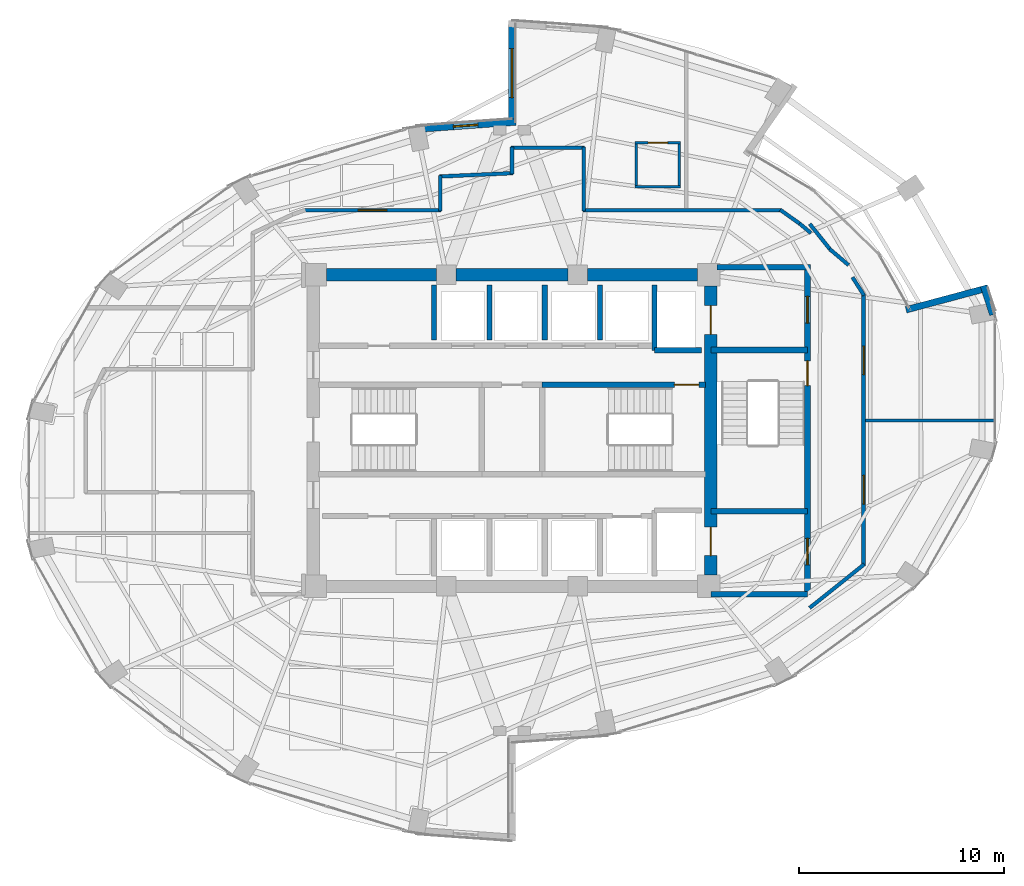
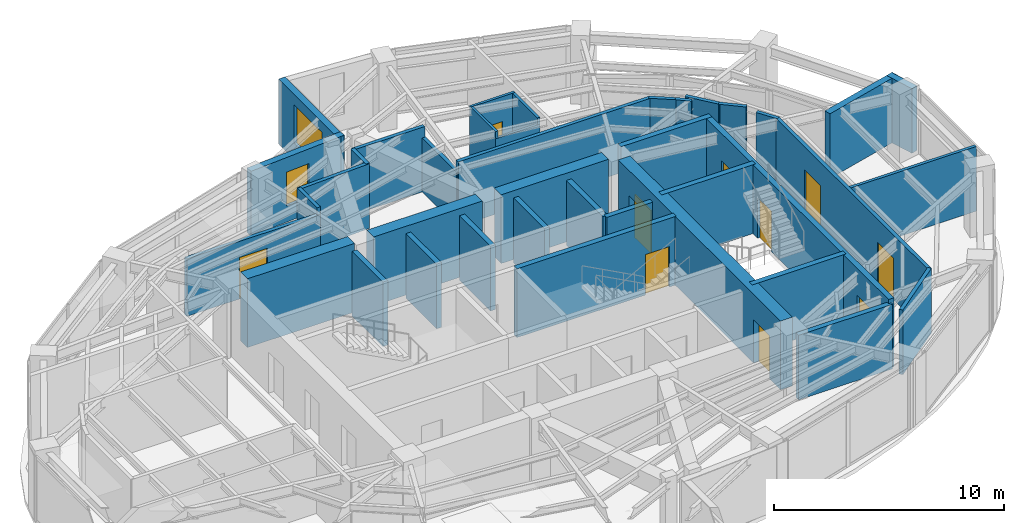
# One storey, part 16 of 19: 39 walls, 10 doors, 2 windows, 12 openings.
"""IFC4 building model written with IfcOpenShell, lengths in metres."""

from ifc_helpers import new_model, si_unit, direction, frame, frame_2d, origin, place, context, subcontext, project, spatial, rectangle, extrude, material, layer, layer_set, type_object, element, fill, save


model = new_model("IFC4")

# Units and contexts
model_context = context("Model", 3, precision=1e-05, world=origin(), true_north=direction((0.0, 1.0)))
body_context = subcontext(model_context, "Body", "Model", "MODEL_VIEW")
ifc_project = project(units=[si_unit("LENGTHUNIT", "METRE"), si_unit("AREAUNIT", "SQUARE_METRE"), si_unit("VOLUMEUNIT", "CUBIC_METRE"), si_unit("PLANEANGLEUNIT", "RADIAN"), si_unit("MASSUNIT", "GRAM", prefix="KILO")], contexts=[model_context])

# Site, building, storey
site_placement = place(None, origin())
site = spatial("IfcSite", under=ifc_project, at=site_placement, CompositionType="ELEMENT")
building_placement = place(site_placement, origin())
building = spatial("IfcBuilding", under=site, at=building_placement, Name="Lazwardi Medical Tower", CompositionType="ELEMENT")
storey_placement = place(building_placement, frame((0.0, 0.0, 171.1201171875)))
storey = spatial("IfcBuildingStorey", under=building, at=storey_placement, Name="L44", CompositionType="ELEMENT", Elevation=171.1201171875)

# Wall, opening, door
ifc_material_1 = material(Name="Fire-rated gypsum board on steel stud", Category="steel")
ifc_layer_1 = layer(ifc_material_1, 0.179931640625)
ifc_layer_set_1 = layer_set([ifc_layer_1], Name="Fire-rated gypsum board on steel stud")
wall_type_1 = type_object("IfcWallType", Name="WL-COR-180", PredefinedType="PARTITIONING", material=ifc_layer_set_1)
wall_1_placement = place(storey_placement, frame((25.842529296875, 38.75, 0.0), z_axis=(0.0, 0.0, 1.0), x_axis=(1.0, 0.0, 0.0)))
wall_1 = element("IfcWall", 1, at=wall_1_placement, inside=storey, type_object=wall_type_1, Name="L44 Corridor partition 6", PredefinedType="PARTITIONING", context=body_context, shape_type="SweptSolid", body=[
    extrude(rectangle(XDim=6.697509765625, YDim=0.179931640625, at=frame_2d((3.3486328125, 0.0))), origin(), (0.0, 0.0, 1.0), 3.052978515625),
])
opening_1_placement = place(wall_1_placement, frame((2.648681640625, 0.0, 0.0)))
opening_1 = element("IfcOpeningElement", 2, at=opening_1_placement, cuts=wall_1, Name="Opening D-L44-011", PredefinedType="OPENING", context=body_context, shape_type="SweptSolid", body=[
    extrude(rectangle(XDim=1.39990234375, YDim=2.199951171875, at=frame_2d((0.699951171875, 1.10009765625))), frame((0.0, 0.099853515625, 0.0), z_axis=(0.0, -1.0, 0.0), x_axis=(1.0, 0.0, 0.0)), (0.0, 0.0, 1.0), 0.199951171875),
])
ifc_material_2 = material(Name="Anti-microbial laminate hospital leaf")
door_type_1 = type_object("IfcDoorType", Name="DR-BED-1400", OperationType="NOTDEFINED", PredefinedType="DOOR", material=ifc_material_2)
door_1_placement = place(opening_1_placement, origin())
door_1 = element("IfcDoor", 3, at=door_1_placement, inside=storey, type_object=door_type_1, Name="L44 Inpatient Ward Door 03", OperationType="SINGLE_SWING_LEFT", OverallHeight=2.199951171875, OverallWidth=1.39990234375, PredefinedType="DOOR", context=body_context, shape_type="SweptSolid", body=[
    extrude(rectangle(XDim=1.39990234375, YDim=2.199951171875, at=frame_2d((0.699951171875, 1.10009765625))), frame((0.0, 0.02490234375, 0.0), z_axis=(0.0, -1.0, 0.0), x_axis=(1.0, 0.0, 0.0)), (0.0, 0.0, 1.0), 0.050048828125),
])
fill(opening_1, door_1)

# Walls
wall_2_placement = place(storey_placement, frame((32.5, 38.7099609375, 0.0), z_axis=(0.0, 0.0, 1.0), x_axis=(0.0, 1.0, 0.0)))
element("IfcWall", 4, at=wall_2_placement, inside=storey, type_object=wall_type_1, Name="L44 Corridor partition 7", PredefinedType="PARTITIONING", context=body_context, shape_type="SweptSolid", body=[
    extrude(rectangle(XDim=1.729248046875, YDim=0.179931640625, at=frame_2d((0.86474609375, 0.0))), origin(), (0.0, 0.0, 1.0), 3.427978515625),
])
wall_3_placement = place(storey_placement, frame((32.4599609375, 40.3974609375, 0.0), z_axis=(0.0, 0.0, 1.0), x_axis=(0.998948498694, 0.045846449783, 0.0)))
element("IfcWall", 5, at=wall_3_placement, inside=storey, type_object=wall_type_1, Name="L44 Corridor partition 8", PredefinedType="PARTITIONING", context=body_context, shape_type="SweptSolid", body=[
    extrude(rectangle(XDim=3.583740234375, YDim=0.179931640625, at=frame_2d((1.7919921875, 0.0))), origin(), (0.0, 0.0, 1.0), 3.427978515625),
])
wall_4_placement = place(storey_placement, frame((36.0, 40.52001953125, 0.0), z_axis=(0.0, 0.0, 1.0), x_axis=(0.0, 1.0, 0.0)))
element("IfcWall", 6, at=wall_4_placement, inside=storey, type_object=wall_type_1, Name="L44 Corridor partition 9", PredefinedType="PARTITIONING", context=body_context, shape_type="SweptSolid", body=[
    extrude(rectangle(XDim=1.320068359375, YDim=0.179931640625, at=frame_2d((0.66015625, 0.0))), origin(), (0.0, 0.0, 1.0), 3.427978515625),
])
wall_5_placement = place(storey_placement, frame((35.9599609375, 41.800048828125, 0.0), z_axis=(0.0, 0.0, 1.0), x_axis=(1.0, 0.0, 0.0)))
element("IfcWall", 7, at=wall_5_placement, inside=storey, type_object=wall_type_1, Name="L44 Corridor partition 10", PredefinedType="PARTITIONING", context=body_context, shape_type="SweptSolid", body=[
    extrude(rectangle(XDim=3.580078125, YDim=0.179931640625, at=frame_2d((1.7900390625, 0.0))), origin(), (0.0, 0.0, 1.0), 3.427978515625),
])
wall_6_placement = place(storey_placement, frame((39.5, 41.840087890625, 0.0), z_axis=(0.0, 0.0, 1.0), x_axis=(0.0, -1.0, 0.0)))
element("IfcWall", 8, at=wall_6_placement, inside=storey, type_object=wall_type_1, Name="L44 Corridor partition 11", PredefinedType="PARTITIONING", context=body_context, shape_type="SweptSolid", body=[
    extrude(rectangle(XDim=3.130126953125, YDim=0.179931640625, at=frame_2d((1.56494140625, 0.0))), origin(), (0.0, 0.0, 1.0), 2.86279296875),
])
wall_7_placement = place(storey_placement, frame((39.4599609375, 38.75, 0.0), z_axis=(0.0, 0.0, 1.0), x_axis=(1.0, 0.0, 0.0)))
element("IfcWall", 9, at=wall_7_placement, inside=storey, type_object=wall_type_1, Name="L44 Corridor partition 12", PredefinedType="PARTITIONING", context=body_context, shape_type="SweptSolid", body=[
    extrude(rectangle(XDim=9.696044921875, YDim=0.179931640625, at=frame_2d((4.84814453125, 0.0))), origin(), (0.0, 0.0, 1.0), 3.427978515625),
])
wall_8_placement = place(storey_placement, frame((49.08349609375, 38.773193359375, 0.0), z_axis=(0.0, 0.0, 1.0), x_axis=(0.815094383649, -0.579328184835, 0.0)))
element("IfcWall", 10, at=wall_8_placement, inside=storey, type_object=wall_type_1, Name="L44 Corridor partition 13", PredefinedType="PARTITIONING", context=body_context, shape_type="SweptSolid", body=[
    extrude(rectangle(XDim=1.234375, YDim=0.179931640625, at=frame_2d((0.6171875, 0.0))), origin(), (0.0, 0.0, 1.0), 3.427978515625),
])
wall_9_placement = place(storey_placement, frame((50.0263671875, 38.107177734375, 0.0), z_axis=(0.0, 0.0, 1.0), x_axis=(0.762519178552, -0.646965611405, 0.0)))
element("IfcWall", 11, at=wall_9_placement, inside=storey, type_object=wall_type_1, Name="L44 Corridor partition 14", PredefinedType="PARTITIONING", context=body_context, shape_type="SweptSolid", body=[
    extrude(rectangle(XDim=0.726806640625, YDim=0.179931640625, at=frame_2d((0.36328125, 0.0))), origin(), (0.0, 0.0, 1.0), 3.427978515625),
])
wall_10_placement = place(storey_placement, frame((50.52490234375, 38.084716796875, 0.0), z_axis=(0.0, 0.0, 1.0), x_axis=(0.624367263629, -0.781130923794, 0.0)))
element("IfcWall", 12, at=wall_10_placement, inside=storey, type_object=wall_type_1, Name="L44 Corridor partition 15", PredefinedType="PARTITIONING", context=body_context, shape_type="SweptSolid", body=[
    extrude(rectangle(XDim=1.63525390625, YDim=0.179931640625, at=frame_2d((0.817626953125, 0.0))), origin(), (0.0, 0.0, 1.0), 3.427978515625),
])
wall_11_placement = place(storey_placement, frame((51.490478515625, 36.864501953125, 0.0), z_axis=(0.0, 0.0, 1.0), x_axis=(0.762506147444, -0.646980969666, 0.0)))
element("IfcWall", 13, at=wall_11_placement, inside=storey, type_object=wall_type_1, Name="L44 Corridor partition 16", PredefinedType="PARTITIONING", context=body_context, shape_type="SweptSolid", body=[
    extrude(rectangle(XDim=1.221435546875, YDim=0.179931640625, at=frame_2d((0.61083984375, 0.0))), origin(), (0.0, 0.0, 1.0), 3.427978515625),
])
wall_12_placement = place(storey_placement, frame((52.609130859375, 35.484130859375, 0.0), z_axis=(0.0, 0.0, 1.0), x_axis=(0.536664379082, -0.843795795335, 0.0)))
element("IfcWall", 14, at=wall_12_placement, inside=storey, type_object=wall_type_1, Name="L44 Corridor partition 17", PredefinedType="PARTITIONING", context=body_context, shape_type="SweptSolid", body=[
    extrude(rectangle(XDim=1.047607421875, YDim=0.179931640625, at=frame_2d((0.52392578125, 0.0))), origin(), (0.0, 0.0, 1.0), 3.427978515625),
])

# Wall, openings, doors
wall_13_placement = place(storey_placement, frame((53.14990234375, 34.673828125, 0.0), z_axis=(0.0, 0.0, 1.0), x_axis=(0.0, -1.0, 0.0)))
wall_13 = element("IfcWall", 15, at=wall_13_placement, inside=storey, type_object=wall_type_1, Name="L44 Corridor partition 18", PredefinedType="PARTITIONING", context=body_context, shape_type="SweptSolid", body=[
    extrude(rectangle(XDim=13.258056640625, YDim=0.179931640625, at=frame_2d((6.62890625, 0.0))), origin(), (0.0, 0.0, 1.0), 3.427978515625),
])
opening_2_placement = place(wall_13_placement, frame((8.85693359375, 0.0, 0.0)))
opening_2 = element("IfcOpeningElement", 16, at=opening_2_placement, cuts=wall_13, Name="Opening D-L44-009", PredefinedType="OPENING", context=body_context, shape_type="SweptSolid", body=[
    extrude(rectangle(XDim=1.39990234375, YDim=2.199951171875, at=frame_2d((0.699951171875, 1.10009765625))), frame((0.0, 0.099853515625, 0.0), z_axis=(0.0, -1.0, 0.0), x_axis=(1.0, 0.0, 0.0)), (0.0, 0.0, 1.0), 0.199951171875),
])
opening_3_placement = place(wall_13_placement, frame((2.5458984375, 0.0, 0.0)))
opening_3 = element("IfcOpeningElement", 17, at=opening_3_placement, cuts=wall_13, Name="Opening D-L44-010", PredefinedType="OPENING", context=body_context, shape_type="SweptSolid", body=[
    extrude(rectangle(XDim=1.39990234375, YDim=2.199951171875, at=frame_2d((0.699951171875, 1.10009765625))), frame((0.0, 0.099853515625, 0.0), z_axis=(0.0, -1.0, 0.0), x_axis=(1.0, 0.0, 0.0)), (0.0, 0.0, 1.0), 0.199951171875),
])
door_2_placement = place(opening_2_placement, origin())
door_2 = element("IfcDoor", 18, at=door_2_placement, inside=storey, type_object=door_type_1, Name="L44 Sky Garden Lounge Door 01", OperationType="SINGLE_SWING_RIGHT", OverallHeight=2.199951171875, OverallWidth=1.39990234375, PredefinedType="DOOR", context=body_context, shape_type="SweptSolid", body=[
    extrude(rectangle(XDim=1.39990234375, YDim=2.199951171875, at=frame_2d((0.699951171875, 1.10009765625))), frame((0.0, 0.02490234375, 0.0), z_axis=(0.0, -1.0, 0.0), x_axis=(1.0, 0.0, 0.0)), (0.0, 0.0, 1.0), 0.050048828125),
])
fill(opening_2, door_2)
door_3_placement = place(opening_3_placement, origin())
door_3 = element("IfcDoor", 19, at=door_3_placement, inside=storey, type_object=door_type_1, Name="L44 Patient Day Lounge Door 02", OperationType="SINGLE_SWING_LEFT", OverallHeight=2.199951171875, OverallWidth=1.39990234375, PredefinedType="DOOR", context=body_context, shape_type="SweptSolid", body=[
    extrude(rectangle(XDim=1.39990234375, YDim=2.199951171875, at=frame_2d((0.699951171875, 1.10009765625))), frame((0.0, 0.02490234375, 0.0), z_axis=(0.0, -1.0, 0.0), x_axis=(1.0, 0.0, 0.0)), (0.0, 0.0, 1.0), 0.050048828125),
])
fill(opening_3, door_3)

# Wall
wall_14_placement = place(storey_placement, frame((53.181396484375, 21.480712890625, 0.0), z_axis=(0.0, 0.0, 1.0), x_axis=(-0.781420737726, -0.624004511724, 0.0)))
element("IfcWall", 20, at=wall_14_placement, inside=storey, type_object=wall_type_1, Name="L44 Corridor partition 19", PredefinedType="PARTITIONING", context=body_context, shape_type="SweptSolid", body=[
    extrude(rectangle(XDim=3.407470703125, YDim=0.179931640625, at=frame_2d((1.70361328125, 0.0))), origin(), (0.0, 0.0, 1.0), 3.427978515625),
])

# Wall, openings, doors
ifc_material_3 = material(Name="Concrete C60/75", Category="concrete")
ifc_layer_2 = layer(ifc_material_3, 0.60009765625)
ifc_layer_set_2 = layer_set([ifc_layer_2], Name="Concrete C60/75")
wall_type_2 = type_object("IfcWallType", Name="WL-CORE-600", PredefinedType="SHEAR", material=ifc_layer_set_2)
wall_15_placement = place(storey_placement, frame((45.699951171875, 20.949951171875, 0.0), z_axis=(0.0, 0.0, 1.0), x_axis=(0.0, 1.0, 0.0)))
wall_15 = element("IfcWall", 21, at=wall_15_placement, inside=storey, type_object=wall_type_2, Name="Core wall CW-S3 east L44", PredefinedType="SHEAR", context=body_context, shape_type="SweptSolid", body=[
    extrude(rectangle(XDim=14.10009765625, YDim=0.60009765625, at=frame_2d((7.050048828125, 0.0))), origin(), (0.0, 0.0, 1.0), 3.64794921875),
])
opening_4_placement = place(wall_15_placement, frame((11.75, 0.0, 0.0)))
opening_4 = element("IfcOpeningElement", 22, at=opening_4_placement, cuts=wall_15, Name="Opening LD-L44-001", PredefinedType="OPENING", context=body_context, shape_type="SweptSolid", body=[
    extrude(rectangle(XDim=1.39990234375, YDim=2.300048828125, at=frame_2d((0.699951171875, 1.14990234375))), frame((0.0, 0.31005859375, 0.0), z_axis=(0.0, -1.0, 0.0), x_axis=(1.0, 0.0, 0.0)), (0.0, 0.0, 1.0), 0.6201171875),
])
opening_5_placement = place(wall_15_placement, frame((0.949951171875, 0.0, 0.0)))
opening_5 = element("IfcOpeningElement", 23, at=opening_5_placement, cuts=wall_15, Name="Opening LD-L44-002", PredefinedType="OPENING", context=body_context, shape_type="SweptSolid", body=[
    extrude(rectangle(XDim=1.39990234375, YDim=2.300048828125, at=frame_2d((0.699951171875, 1.14990234375))), frame((0.0, 0.31005859375, 0.0), z_axis=(0.0, -1.0, 0.0), x_axis=(1.0, 0.0, 0.0)), (0.0, 0.0, 1.0), 0.6201171875),
])
ifc_material_4 = material(Name="Brushed stainless steel bed-lift landing door", Category="steel")
door_type_2 = type_object("IfcDoorType", Name="DR-LFT-1400", OperationType="NOTDEFINED", PredefinedType="DOOR", material=ifc_material_4)
door_4_placement = place(opening_4_placement, origin())
door_4 = element("IfcDoor", 24, at=door_4_placement, inside=storey, type_object=door_type_2, Name="L44 Lift Landing Door FL-01", OperationType="SLIDING_TO_LEFT", OverallHeight=2.300048828125, OverallWidth=1.39990234375, PredefinedType="DOOR", context=body_context, shape_type="SweptSolid", body=[
    extrude(rectangle(XDim=1.39990234375, YDim=2.300048828125, at=frame_2d((0.699951171875, 1.14990234375))), frame((0.0, 0.02490234375, 0.0), z_axis=(0.0, -1.0, 0.0), x_axis=(1.0, 0.0, 0.0)), (0.0, 0.0, 1.0), 0.050048828125),
])
fill(opening_4, door_4)
door_5_placement = place(opening_5_placement, origin())
door_5 = element("IfcDoor", 25, at=door_5_placement, inside=storey, type_object=door_type_2, Name="L44 Lift Landing Door FL-02", OperationType="SLIDING_TO_LEFT", OverallHeight=2.300048828125, OverallWidth=1.39990234375, PredefinedType="DOOR", context=body_context, shape_type="SweptSolid", body=[
    extrude(rectangle(XDim=1.39990234375, YDim=2.300048828125, at=frame_2d((0.699951171875, 1.14990234375))), frame((0.0, 0.02490234375, 0.0), z_axis=(0.0, -1.0, 0.0), x_axis=(1.0, 0.0, 0.0)), (0.0, 0.0, 1.0), 0.050048828125),
])
fill(opening_5, door_5)

# Walls
wall_16_placement = place(storey_placement, frame((26.949951171875, 35.60009765625, 0.0), z_axis=(0.0, 0.0, 1.0), x_axis=(1.0, 0.0, 0.0)))
element("IfcWall", 26, at=wall_16_placement, inside=storey, type_object=wall_type_2, Name="Core wall CW-S3 N1 L44", PredefinedType="SHEAR", context=body_context, shape_type="SweptSolid", body=[
    extrude(rectangle(XDim=5.375, YDim=0.60009765625, at=frame_2d((2.6875, 0.0))), origin(), (0.0, 0.0, 1.0), 3.64794921875),
])
wall_17_placement = place(storey_placement, frame((33.27490234375, 35.60009765625, 0.0), z_axis=(0.0, 0.0, 1.0), x_axis=(1.0, 0.0, 0.0)))
element("IfcWall", 27, at=wall_17_placement, inside=storey, type_object=wall_type_2, Name="Core wall CW-S3 N2 L44", PredefinedType="SHEAR", context=body_context, shape_type="SweptSolid", body=[
    extrude(rectangle(XDim=5.4501953125, YDim=0.60009765625, at=frame_2d((2.72509765625, 0.0))), origin(), (0.0, 0.0, 1.0), 3.64794921875),
])
wall_18_placement = place(storey_placement, frame((39.675048828125, 35.60009765625, 0.0), z_axis=(0.0, 0.0, 1.0), x_axis=(1.0, 0.0, 0.0)))
element("IfcWall", 28, at=wall_18_placement, inside=storey, type_object=wall_type_2, Name="Core wall CW-S3 N3 L44", PredefinedType="SHEAR", context=body_context, shape_type="SweptSolid", body=[
    extrude(rectangle(XDim=5.375, YDim=0.60009765625, at=frame_2d((2.6875, 0.0))), origin(), (0.0, 0.0, 1.0), 3.64794921875),
])

# Wall, opening, door
ifc_material_5 = material(Name="Moisture-resistant gypsum board partition")
ifc_layer_3 = layer(ifc_material_5, 0.125)
ifc_layer_set_3 = layer_set([ifc_layer_3], Name="Moisture-resistant gypsum board partition")
wall_type_3 = type_object("IfcWallType", Name="WL-ENS-125", PredefinedType="PARTITIONING", material=ifc_layer_set_3)
wall_19_placement = place(storey_placement, frame((42.0048828125, 42.050048828125, 0.0), z_axis=(0.0, 0.0, 1.0), x_axis=(1.0, 0.0, 0.0)))
wall_19 = element("IfcWall", 29, at=wall_19_placement, inside=storey, type_object=wall_type_3, Name="L44 En-suite wall 3N", PredefinedType="PARTITIONING", context=body_context, shape_type="SweptSolid", body=[
    extrude(rectangle(XDim=2.22021484375, YDim=0.125, at=frame_2d((1.110107421875, 0.0))), origin(), (0.0, 0.0, 1.0), 3.427978515625),
])
opening_6_placement = place(wall_19_placement, frame((0.635009765625, 0.0, 0.0)))
opening_6 = element("IfcOpeningElement", 30, at=opening_6_placement, cuts=wall_19, Name="Opening D-L44-002", PredefinedType="OPENING", context=body_context, shape_type="SweptSolid", body=[
    extrude(rectangle(XDim=0.949951171875, YDim=2.10009765625, at=frame_2d((0.47509765625, 1.050048828125))), frame((0.0, 0.072509765625, 0.0), z_axis=(0.0, -1.0, 0.0), x_axis=(1.0, 0.0, 0.0)), (0.0, 0.0, 1.0), 0.14501953125),
])
ifc_material_6 = material(Name="Moisture-resistant laminate door leaf")
door_type_3 = type_object("IfcDoorType", Name="DR-ENS-950", OperationType="NOTDEFINED", PredefinedType="DOOR", material=ifc_material_6)
door_6_placement = place(opening_6_placement, origin())
door_6 = element("IfcDoor", 31, at=door_6_placement, inside=storey, type_object=door_type_3, Name="L44 En-suite Door 03", OperationType="SINGLE_SWING_RIGHT", OverallHeight=2.10009765625, OverallWidth=0.949951171875, PredefinedType="DOOR", context=body_context, shape_type="SweptSolid", body=[
    extrude(rectangle(XDim=0.949951171875, YDim=2.10009765625, at=frame_2d((0.47509765625, 1.050048828125))), frame((0.0, 0.02490234375, 0.0), z_axis=(0.0, -1.0, 0.0), x_axis=(1.0, 0.0, 0.0)), (0.0, 0.0, 1.0), 0.050048828125),
])
fill(opening_6, door_6)

# Walls
wall_20_placement = place(storey_placement, frame((42.0048828125, 39.889892578125, 0.0), z_axis=(0.0, 0.0, 1.0), x_axis=(1.0, 0.0, 0.0)))
element("IfcWall", 32, at=wall_20_placement, inside=storey, type_object=wall_type_3, Name="L44 En-suite wall 3S", PredefinedType="PARTITIONING", context=body_context, shape_type="SweptSolid", body=[
    extrude(rectangle(XDim=2.22021484375, YDim=0.125, at=frame_2d((1.110107421875, 0.0))), origin(), (0.0, 0.0, 1.0), 3.052978515625),
])
for number, where, z_axis, x_axis, name in (
    (33, (44.1650390625, 39.830078125, 0.0), (0.0, 0.0, 1.0), (0.0, 1.0, 0.0), "L44 En-suite wall 3E"),
    (34, (42.06494140625, 39.830078125, 0.0), (0.0, 0.0, 1.0), (0.0, 1.0, 0.0), "L44 En-suite wall 3W"),
):
    element("IfcWall", number, at=place(storey_placement, frame(where, z_axis=z_axis, x_axis=x_axis)), inside=storey, type_object=wall_type_3, Name=name, PredefinedType="PARTITIONING", context=body_context, shape_type="SweptSolid", body=[
        extrude(rectangle(XDim=2.280029296875, YDim=0.125, at=frame_2d((1.14013671875, 0.0))), origin(), (0.0, 0.0, 1.0), 3.427978515625),
    ])

# Wall, opening, window
ifc_material_7 = material(Name="Precast concrete C45/55", Category="concrete")
ifc_layer_4 = layer(ifc_material_7, 0.320068359375)
ifc_layer_set_4 = layer_set([ifc_layer_4], Name="Precast concrete C45/55")
wall_type_4 = type_object("IfcWallType", Name="WL-IWAN-320", PredefinedType="SOLIDWALL", material=ifc_layer_set_4)
wall_21_placement = place(storey_placement, frame((36.17919921875, 43.052978515625, 0.0), z_axis=(0.0, 0.0, 1.0), x_axis=(-0.997415202861, -0.071853413984, 0.0)))
wall_21 = element("IfcWall", 35, at=wall_21_placement, inside=storey, type_object=wall_type_4, Name="L44 Iwan Portal Return Wall NW_ret", PredefinedType="SOLIDWALL", context=body_context, shape_type="SweptSolid", body=[
    extrude(rectangle(XDim=4.892822265625, YDim=0.320068359375, at=frame_2d((2.4462890625, 0.0))), origin(), (0.0, 0.0, 1.0), 3.427978515625),
])
opening_7_placement = place(wall_21_placement, frame((1.84619140625, 0.0, 0.85009765625)))
opening_7 = element("IfcOpeningElement", 36, at=opening_7_placement, cuts=wall_21, Name="Opening WN-04", PredefinedType="OPENING", context=body_context, shape_type="SweptSolid", body=[
    extrude(rectangle(XDim=1.199951171875, YDim=1.800048828125, at=frame_2d((0.60009765625, 0.89990234375))), frame((0.0, 0.169921875, 0.0), z_axis=(0.0, -1.0, 0.0), x_axis=(1.0, 0.0, 0.0)), (0.0, 0.0, 1.0), 0.340087890625),
])
ifc_material_8 = material(Name="Low-e bronze solar control double glazing", Category="glass")
window_type_1 = type_object("IfcWindowType", Name="WIN-DRUM-1200", PartitioningType="SINGLE_PANEL", PredefinedType="WINDOW", material=ifc_material_8)
window_1_placement = place(opening_7_placement, origin())
window_1 = element("IfcWindow", 37, at=window_1_placement, inside=storey, type_object=window_type_1, Name="L44 Iwan Slot Window NW_ret", OverallHeight=1.800048828125, OverallWidth=1.199951171875, PartitioningType="SINGLE_PANEL", PredefinedType="WINDOW", context=body_context, shape_type="SweptSolid", body=[
    extrude(rectangle(XDim=1.199951171875, YDim=1.800048828125, at=frame_2d((0.60009765625, 0.89990234375))), frame((0.0, 0.030029296875, 0.0), z_axis=(0.0, -1.0, 0.0), x_axis=(1.0, 0.0, 0.0)), (0.0, 0.0, 1.0), 0.06005859375),
])
fill(opening_7, window_1)

wall_22_placement = place(storey_placement, frame((36.0, 48.0, 0.0), z_axis=(0.0, 0.0, 1.0), x_axis=(0.0, -1.0, 0.0)))
wall_22 = element("IfcWall", 38, at=wall_22_placement, inside=storey, type_object=wall_type_4, Name="L44 Turquoise Tilework Iwan Seam Wall N_seam", PredefinedType="SOLIDWALL", context=body_context, shape_type="SweptSolid", body=[
    extrude(rectangle(XDim=5.1201171875, YDim=0.320068359375, at=frame_2d((2.56005859375, 0.0))), origin(), (0.0, 0.0, 1.0), 3.427978515625),
])
opening_8_placement = place(wall_22_placement, frame((1.360107421875, 0.0, 0.840087890625)))
opening_8 = element("IfcOpeningElement", 39, at=opening_8_placement, cuts=wall_22, Name="Opening WN-02", PredefinedType="OPENING", context=body_context, shape_type="SweptSolid", body=[
    extrude(rectangle(XDim=2.39990234375, YDim=2.0400390625, at=frame_2d((1.199951171875, 1.02001953125))), frame((0.0, 0.169921875, 0.0), z_axis=(0.0, -1.0, 0.0), x_axis=(1.0, 0.0, 0.0)), (0.0, 0.0, 1.0), 0.340087890625),
])
window_type_2 = type_object("IfcWindowType", Name="WIN-IW-2400", PartitioningType="SINGLE_PANEL", PredefinedType="WINDOW", material=ifc_material_8)
window_2_placement = place(opening_8_placement, origin())
window_2 = element("IfcWindow", 40, at=window_2_placement, inside=storey, type_object=window_type_2, Name="L44 Iwan Seam Window N_seam", OverallHeight=2.0400390625, OverallWidth=2.39990234375, PartitioningType="SINGLE_PANEL", PredefinedType="WINDOW", context=body_context, shape_type="SweptSolid", body=[
    extrude(rectangle(XDim=2.39990234375, YDim=2.0400390625, at=frame_2d((1.199951171875, 1.02001953125))), frame((0.0, 0.030029296875, 0.0), z_axis=(0.0, -1.0, 0.0), x_axis=(1.0, 0.0, 0.0)), (0.0, 0.0, 1.0), 0.06005859375),
])
fill(opening_8, window_2)

# Walls
wall_23_placement = place(storey_placement, frame((59.220947265625, 34.965576171875, 0.0), z_axis=(0.0, 0.0, 1.0), x_axis=(-0.965925940868, -0.258818617489, 0.0)))
element("IfcWall", 41, at=wall_23_placement, inside=storey, type_object=wall_type_4, Name="L44 Sky Garden SG3 Flank Wall S0", PredefinedType="SOLIDWALL", context=body_context, shape_type="SweptSolid", body=[
    extrude(rectangle(XDim=4.14013671875, YDim=0.320068359375, at=frame_2d((2.070068359375, 0.0))), origin(), (0.0, 0.0, 1.0), 3.427978515625),
])
wall_24_placement = place(storey_placement, frame((59.4501953125, 33.65380859375, 0.0), z_axis=(0.0, 0.0, 1.0), x_axis=(-0.303745470451, 0.952753215256, 0.0)))
element("IfcWall", 42, at=wall_24_placement, inside=storey, type_object=wall_type_4, Name="L44 Sky Garden SG3 Jamb Return Wall", PredefinedType="SOLIDWALL", context=body_context, shape_type="SweptSolid", body=[
    extrude(rectangle(XDim=1.48779296875, YDim=0.320068359375, at=frame_2d((0.743896484375, 0.0))), origin(), (0.0, 0.0, 1.0), 3.427978515625),
])
ifc_material_9 = material(Name="Autoclaved aerated concrete blockwork", Category="masonry")
ifc_layer_5 = layer(ifc_material_9, 0.25)
ifc_layer_set_5 = layer_set([ifc_layer_5], Name="Autoclaved aerated concrete blockwork")
wall_type_5 = type_object("IfcWallType", Name="WL-SHAFT-250", PredefinedType="SOLIDWALL", material=ifc_layer_set_5)
wall_25_placement = place(storey_placement, frame((42.949951171875, 31.919921875, 0.0), z_axis=(0.0, 0.0, 1.0), x_axis=(0.0, 1.0, 0.0)))
element("IfcWall", 43, at=wall_25_placement, inside=storey, type_object=wall_type_5, Name="L44 FL-01 West shaft wall", PredefinedType="SOLIDWALL", context=body_context, shape_type="SweptSolid", body=[
    extrude(rectangle(XDim=3.18017578125, YDim=0.25, at=frame_2d((1.590087890625, 0.0))), origin(), (0.0, 0.0, 1.0), 3.427978515625),
])
wall_26_placement = place(storey_placement, frame((42.949951171875, 31.919921875, 0.0), z_axis=(0.0, 0.0, 1.0), x_axis=(1.0, 0.0, 0.0)))
element("IfcWall", 44, at=wall_26_placement, inside=storey, type_object=wall_type_5, Name="L44 FL-01 South shaft wall", PredefinedType="SOLIDWALL", context=body_context, shape_type="SweptSolid", body=[
    extrude(rectangle(XDim=2.300048828125, YDim=0.25, at=frame_2d((1.14990234375, 0.0))), origin(), (0.0, 0.0, 1.0), 3.427978515625),
])
for number, where, z_axis, x_axis, name in (
    (45, (32.199951171875, 32.419921875, 0.0), (0.0, 0.0, 1.0), (0.0, 1.0, 0.0), "L44 North hoistway divider"),
    (46, (34.89990234375, 32.419921875, 0.0), (0.0, 0.0, 1.0), (0.0, 1.0, 0.0), "L44 North hoistway divider"),
    (47, (37.60009765625, 32.419921875, 0.0), (0.0, 0.0, 1.0), (0.0, 1.0, 0.0), "L44 North hoistway divider"),
    (48, (40.300048828125, 32.419921875, 0.0), (0.0, 0.0, 1.0), (0.0, 1.0, 0.0), "L44 North hoistway divider"),
):
    element("IfcWall", number, at=place(storey_placement, frame(where, z_axis=z_axis, x_axis=x_axis)), inside=storey, type_object=wall_type_5, Name=name, PredefinedType="SOLIDWALL", context=body_context, shape_type="SweptSolid", body=[
        extrude(rectangle(XDim=2.68017578125, YDim=0.25, at=frame_2d((1.340087890625, 0.0))), origin(), (0.0, 0.0, 1.0), 3.427978515625),
    ])
wall_27_placement = place(storey_placement, frame((45.699951171875, 20.02001953125, 0.0), z_axis=(0.0, 0.0, 1.0), x_axis=(1.0, 0.0, 0.0)))
element("IfcWall", 49, at=wall_27_placement, inside=storey, type_object=wall_type_5, Name="L44 FFL-S South wall", PredefinedType="SOLIDWALL", context=body_context, shape_type="SweptSolid", body=[
    extrude(rectangle(XDim=4.715087890625, YDim=0.25, at=frame_2d((2.357421875, 0.0))), origin(), (0.0, 0.0, 1.0), 3.427978515625),
])

# Wall, opening, door
ifc_material_10 = material(Name="Concrete C50/60", Category="concrete")
ifc_layer_6 = layer(ifc_material_10, 0.27001953125)
ifc_layer_set_6 = layer_set([ifc_layer_6], Name="Concrete C50/60")
wall_type_6 = type_object("IfcWallType", Name="WL-STR-250", PredefinedType="SHEAR", material=ifc_layer_set_6)
wall_28_placement = place(storey_placement, frame((37.465087890625, 30.235107421875, 0.0), z_axis=(0.0, 0.0, 1.0), x_axis=(1.0, 0.0, 0.0)))
wall_28 = element("IfcWall", 50, at=wall_28_placement, inside=storey, type_object=wall_type_6, Name="L44 ST2 North shear shaft wall SW-S1", PredefinedType="SHEAR", context=body_context, shape_type="SweptSolid", body=[
    extrude(rectangle(XDim=7.98486328125, YDim=0.27001953125, at=frame_2d((3.992431640625, 0.0))), origin(), (0.0, 0.0, 1.0), 3.64794921875),
])
opening_9_placement = place(wall_28_placement, frame((6.455078125, 0.0, 0.0)))
opening_9 = element("IfcOpeningElement", 51, at=opening_9_placement, cuts=wall_28, Name="Opening D-L44-014", PredefinedType="OPENING", context=body_context, shape_type="SweptSolid", body=[
    extrude(rectangle(XDim=1.199951171875, YDim=2.14990234375, at=frame_2d((0.60009765625, 1.074951171875))), frame((0.0, 0.14501953125, 0.0), z_axis=(0.0, -1.0, 0.0), x_axis=(1.0, 0.0, 0.0)), (0.0, 0.0, 1.0), 0.2900390625),
])
ifc_material_11 = material(Name="Fire-rated steel leaf and frame", Category="steel")
door_type_4 = type_object("IfcDoorType", Name="DR-STR-1200", OperationType="NOTDEFINED", PredefinedType="DOOR", material=ifc_material_11)
door_7_placement = place(opening_9_placement, origin())
door_7 = element("IfcDoor", 52, at=door_7_placement, inside=storey, type_object=door_type_4, Name="L44 Exit Stair ST2 Door", OperationType="SINGLE_SWING_LEFT", OverallHeight=2.14990234375, OverallWidth=1.199951171875, PredefinedType="DOOR", context=body_context, shape_type="SweptSolid", body=[
    extrude(rectangle(XDim=1.199951171875, YDim=2.14990234375, at=frame_2d((0.60009765625, 1.074951171875))), frame((0.0, 0.02490234375, 0.0), z_axis=(0.0, -1.0, 0.0), x_axis=(1.0, 0.0, 0.0)), (0.0, 0.0, 1.0), 0.050048828125),
])
fill(opening_9, door_7)

# Wall, openings, doors
wall_29_placement = place(storey_placement, frame((50.4150390625, 35.844970703125, 0.0), z_axis=(0.0, 0.0, 1.0), x_axis=(0.0, -1.0, 0.0)))
wall_29 = element("IfcWall", 53, at=wall_29_placement, inside=storey, type_object=wall_type_6, Name="L44 East ST3 & FFL shear wall SW-S1", PredefinedType="SHEAR", context=body_context, shape_type="SweptSolid", body=[
    extrude(rectangle(XDim=15.824951171875, YDim=0.27001953125, at=frame_2d((7.91259765625, 0.0))), origin(), (0.0, 0.0, 1.0), 3.64794921875),
])
opening_10_placement = place(wall_29_placement, frame((4.445068359375, 0.0, 0.0)))
opening_10 = element("IfcOpeningElement", 54, at=opening_10_placement, cuts=wall_29, Name="Opening D-L44-015", PredefinedType="OPENING", context=body_context, shape_type="SweptSolid", body=[
    extrude(rectangle(XDim=1.199951171875, YDim=2.14990234375, at=frame_2d((0.60009765625, 1.074951171875))), frame((0.0, 0.14501953125, 0.0), z_axis=(0.0, -1.0, 0.0), x_axis=(1.0, 0.0, 0.0)), (0.0, 0.0, 1.0), 0.2900390625),
])
opening_11_placement = place(wall_29_placement, frame((1.294921875, 0.0, 0.0)))
opening_11 = element("IfcOpeningElement", 55, at=opening_11_placement, cuts=wall_29, Name="Opening D-L44-005", PredefinedType="OPENING", context=body_context, shape_type="SweptSolid", body=[
    extrude(rectangle(XDim=1.300048828125, YDim=2.199951171875, at=frame_2d((0.64990234375, 1.10009765625))), frame((0.0, 0.14501953125, 0.0), z_axis=(0.0, -1.0, 0.0), x_axis=(1.0, 0.0, 0.0)), (0.0, 0.0, 1.0), 0.2900390625),
])
opening_12_placement = place(wall_29_placement, frame((13.094970703125, 0.0, 0.0)))
opening_12 = element("IfcOpeningElement", 56, at=opening_12_placement, cuts=wall_29, Name="Opening D-L44-006", PredefinedType="OPENING", context=body_context, shape_type="SweptSolid", body=[
    extrude(rectangle(XDim=1.300048828125, YDim=2.199951171875, at=frame_2d((0.64990234375, 1.10009765625))), frame((0.0, 0.14501953125, 0.0), z_axis=(0.0, -1.0, 0.0), x_axis=(1.0, 0.0, 0.0)), (0.0, 0.0, 1.0), 0.2900390625),
])
door_type_5 = type_object("IfcDoorType", Name="DR-FFL-1300", OperationType="NOTDEFINED", PredefinedType="DOOR", material=ifc_material_11)
door_8_placement = place(opening_11_placement, origin())
door_8 = element("IfcDoor", 57, at=door_8_placement, inside=storey, type_object=door_type_5, Name="L44 Fire-Fighting Lobby North Door", OperationType="SINGLE_SWING_RIGHT", OverallHeight=2.199951171875, OverallWidth=1.300048828125, PredefinedType="DOOR", context=body_context, shape_type="SweptSolid", body=[
    extrude(rectangle(XDim=1.300048828125, YDim=2.199951171875, at=frame_2d((0.64990234375, 1.10009765625))), frame((0.0, 0.02490234375, 0.0), z_axis=(0.0, -1.0, 0.0), x_axis=(1.0, 0.0, 0.0)), (0.0, 0.0, 1.0), 0.050048828125),
])
fill(opening_11, door_8)
door_9_placement = place(opening_12_placement, origin())
door_9 = element("IfcDoor", 58, at=door_9_placement, inside=storey, type_object=door_type_5, Name="L44 Fire-Fighting Lobby South Door", OperationType="SINGLE_SWING_LEFT", OverallHeight=2.199951171875, OverallWidth=1.300048828125, PredefinedType="DOOR", context=body_context, shape_type="SweptSolid", body=[
    extrude(rectangle(XDim=1.300048828125, YDim=2.199951171875, at=frame_2d((0.64990234375, 1.10009765625))), frame((0.0, 0.02490234375, 0.0), z_axis=(0.0, -1.0, 0.0), x_axis=(1.0, 0.0, 0.0)), (0.0, 0.0, 1.0), 0.050048828125),
])
fill(opening_12, door_9)
door_10_placement = place(opening_10_placement, origin())
door_10 = element("IfcDoor", 59, at=door_10_placement, inside=storey, type_object=door_type_4, Name="L44 Exit Stair ST3 Door", OperationType="SINGLE_SWING_LEFT", OverallHeight=2.14990234375, OverallWidth=1.199951171875, PredefinedType="DOOR", context=body_context, shape_type="SweptSolid", body=[
    extrude(rectangle(XDim=1.199951171875, YDim=2.14990234375, at=frame_2d((0.60009765625, 1.074951171875))), frame((0.0, 0.02490234375, 0.0), z_axis=(0.0, -1.0, 0.0), x_axis=(1.0, 0.0, 0.0)), (0.0, 0.0, 1.0), 0.050048828125),
])
fill(opening_10, door_10)

# Walls
wall_30_placement = place(storey_placement, frame((46.0, 35.97998046875, 0.0), z_axis=(0.0, 0.0, 1.0), x_axis=(1.0, 0.0, 0.0)))
element("IfcWall", 60, at=wall_30_placement, inside=storey, type_object=wall_type_6, Name="L44 FFL-N North shear wall SW-S1", PredefinedType="SHEAR", context=body_context, shape_type="SweptSolid", body=[
    extrude(rectangle(XDim=4.550048828125, YDim=0.27001953125, at=frame_2d((2.27490234375, 0.0))), origin(), (0.0, 0.0, 1.0), 3.64794921875),
])
for number, where, z_axis, x_axis, name in (
    (61, (45.699951171875, 31.93505859375, 0.0), (0.0, 0.0, 1.0), (1.0, 0.0, 0.0), "L44 ST3 North shear shaft wall SW-S1"),
    (62, (45.699951171875, 24.06494140625, 0.0), (0.0, 0.0, 1.0), (1.0, 0.0, 0.0), "L44 ST3 South shear shaft wall SW-S1"),
):
    element("IfcWall", number, at=place(storey_placement, frame(where, z_axis=z_axis, x_axis=x_axis)), inside=storey, type_object=wall_type_6, Name=name, PredefinedType="SHEAR", context=body_context, shape_type="SweptSolid", body=[
        extrude(rectangle(XDim=4.715087890625, YDim=0.27001953125, at=frame_2d((2.357421875, 0.0))), origin(), (0.0, 0.0, 1.0), 3.64794921875),
    ])
ifc_material_12 = material(Name="Acoustic gypsum board partition")
ifc_layer_7 = layer(ifc_material_12, 0.14990234375)
ifc_layer_set_7 = layer_set([ifc_layer_7], Name="Acoustic gypsum board partition")
wall_type_7 = type_object("IfcWallType", Name="WL-WRD-150", PredefinedType="PARTITIONING", material=ifc_layer_set_7)
wall_31_placement = place(storey_placement, frame((53.239990234375, 28.5, 0.0), z_axis=(0.0, 0.0, 1.0), x_axis=(1.0, 0.0, 0.0)))
element("IfcWall", 63, at=wall_31_placement, inside=storey, type_object=wall_type_7, Name="L44 Room partition 3", PredefinedType="PARTITIONING", context=body_context, shape_type="SweptSolid", body=[
    extrude(rectangle(XDim=6.30712890625, YDim=0.14990234375, at=frame_2d((3.153564453125, 0.0))), origin(), (0.0, 0.0, 1.0), 3.427978515625),
])

save(model, "model.ifc")
